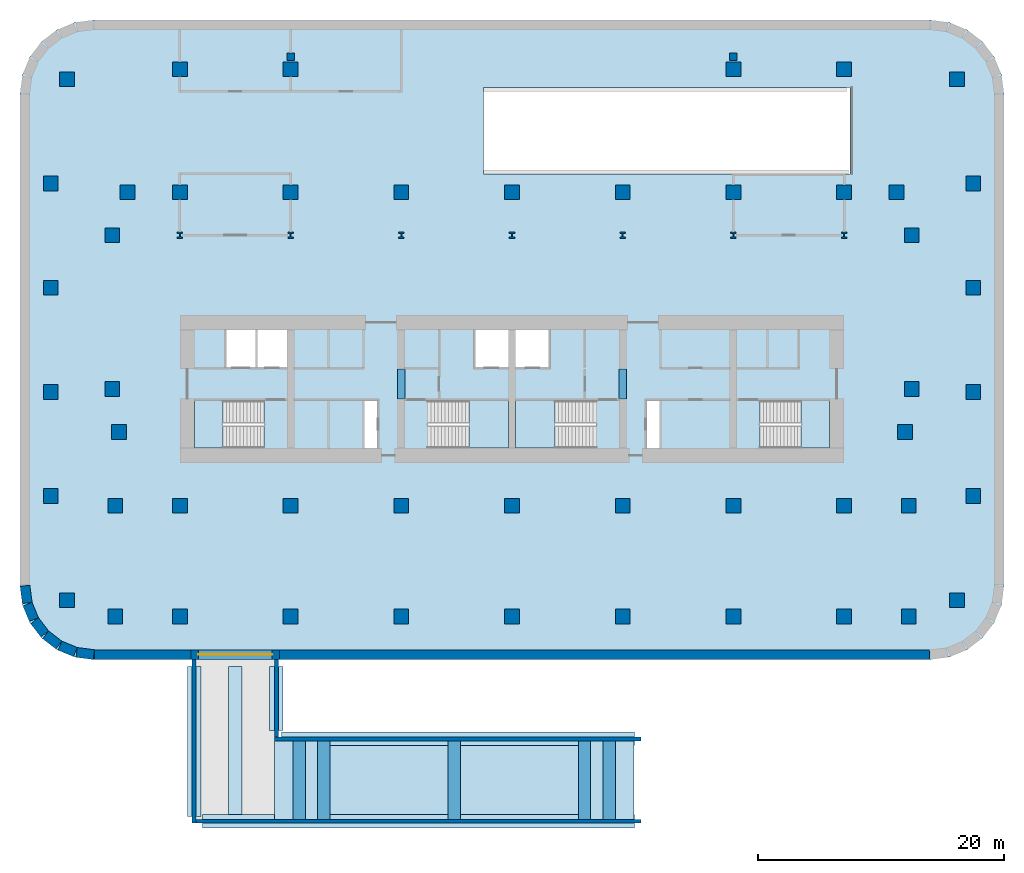
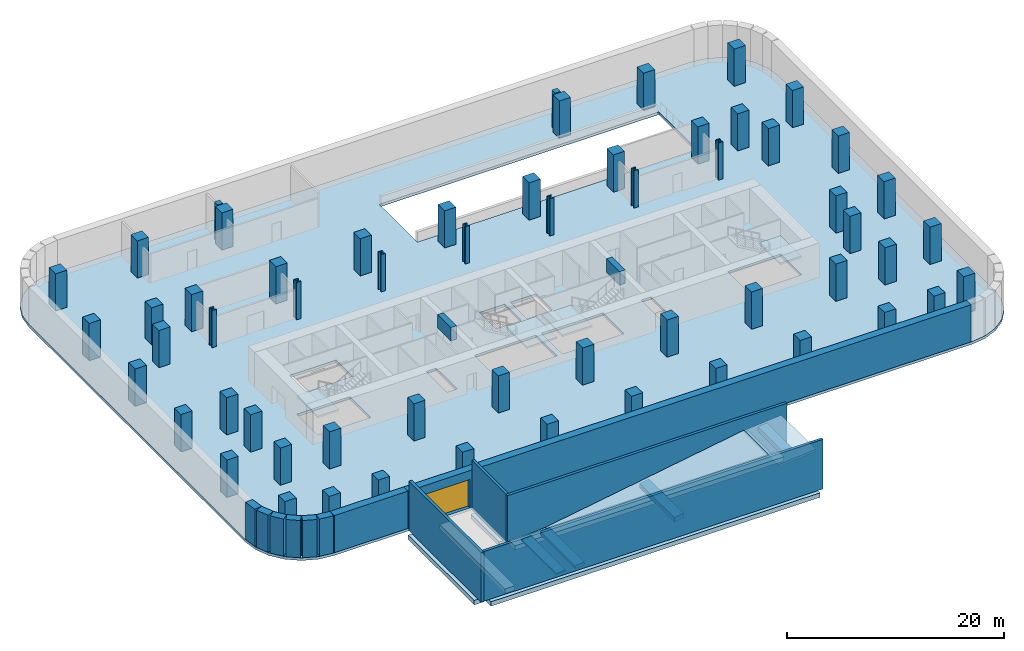
# One storey, part 1 of 6: 58 columns, 13 walls, 8 slabs, 7 beams, 5 footings, 1 door, 1 opening, 5 elements without a shape of their own.
"""IFC4 building model written with IfcOpenShell, lengths in metres."""

from ifc_helpers import new_model, si_unit, direction, frame, frame_2d, origin, origin_2d, place, context, subcontext, project, spatial, polyline, rectangle, i_section, outline, extrude, material, layer, layer_set, material_profile, profile_set, type_object, element, fill, aggregate, save


model = new_model("IFC4")

# Units and contexts
model_context = context("Model", 3, precision=1e-05, world=origin(), true_north=direction((0.0, 1.0)))
body_context = subcontext(model_context, "Body", "Model", "MODEL_VIEW")
ifc_project = project(units=[si_unit("LENGTHUNIT", "METRE"), si_unit("AREAUNIT", "SQUARE_METRE"), si_unit("VOLUMEUNIT", "CUBIC_METRE"), si_unit("PLANEANGLEUNIT", "RADIAN"), si_unit("MASSUNIT", "GRAM", prefix="KILO")], contexts=[model_context])

# Site, building, storey
site_placement = place(None, origin())
site = spatial("IfcSite", under=ifc_project, at=site_placement, CompositionType="ELEMENT")
building_placement = place(site_placement, origin())
building = spatial("IfcBuilding", under=site, at=building_placement, Name="Zellij Exchange Tower", CompositionType="ELEMENT")
storey_placement = place(building_placement, frame((0.0, 0.0, -4.199951171875)))
storey = spatial("IfcBuildingStorey", under=building, at=storey_placement, Name="B1", CompositionType="ELEMENT", Elevation=-4.199951171875)

# Footings
ifc_material_1 = material(Name="Concrete C40/50", Category="concrete")
ifc_layer_1 = layer(ifc_material_1, 0.5)
ifc_layer_set_1 = layer_set([ifc_layer_1], Name="Concrete C40/50")
footing_type = type_object("IfcFootingType", Name="STR-STRIP FOOTING 1100x500 C40/50", PredefinedType="STRIP_FOOTING", material=ifc_layer_set_1)
footing_1_placement = place(storey_placement, frame((-19.14990234375, -33.14990234375, -0.800048828125), z_axis=(0.0, 0.0, 1.0), x_axis=(0.0, 1.0, 0.0)))
element("IfcFooting", 1, at=footing_1_placement, inside=storey, type_object=footing_type, Name="Strip footing SF1", PredefinedType="STRIP_FOOTING", context=body_context, shape_type="SweptSolid", body=[
    extrude(rectangle(XDim=5.199951171875, YDim=1.10009765625, at=origin_2d()), origin(), (0.0, 0.0, 1.0), 0.5),
])
footing_2_placement = place(storey_placement, frame((-4.3974609375, -36.449951171875, -0.800048828125), z_axis=(0.0, 0.0, 1.0), x_axis=(1.0, 0.0, 0.0)))
element("IfcFooting", 2, at=footing_2_placement, inside=storey, type_object=footing_type, Name="Strip footing SF1", PredefinedType="STRIP_FOOTING", context=body_context, shape_type="SweptSolid", body=[
    extrude(rectangle(XDim=28.705078125, YDim=1.10009765625, at=origin_2d()), origin(), (0.0, 0.0, 1.0), 0.5),
])
footing_3_placement = place(storey_placement, frame((-7.597412109375, -43.14990234375, -0.800048828125), z_axis=(0.0, 0.0, 1.0), x_axis=(1.0, 0.0, 0.0)))
element("IfcFooting", 3, at=footing_3_placement, inside=storey, type_object=footing_type, Name="Strip footing SF1", PredefinedType="STRIP_FOOTING", context=body_context, shape_type="SweptSolid", body=[
    extrude(rectangle(XDim=35.10498046875, YDim=1.10009765625, at=origin_2d()), origin(), (0.0, 0.0, 1.0), 0.5),
])
footing_4_placement = place(storey_placement, frame((-25.85009765625, -36.64990234375, -0.800048828125), z_axis=(0.0, 0.0, 1.0), x_axis=(0.0, 1.0, 0.0)))
element("IfcFooting", 4, at=footing_4_placement, inside=storey, type_object=footing_type, Name="Strip footing SF1", PredefinedType="STRIP_FOOTING", context=body_context, shape_type="SweptSolid", body=[
    extrude(rectangle(XDim=12.199951171875, YDim=1.10009765625, at=origin_2d()), origin(), (0.0, 0.0, 1.0), 0.5),
])
footing_5_placement = place(storey_placement, frame((-22.5, -36.574951171875, -0.780029296875), z_axis=(0.0, 0.0, 1.0), x_axis=(0.0, 1.0, 0.0)))
element("IfcFooting", 5, at=footing_5_placement, inside=storey, type_object=footing_type, Name="Strip footing SF1", PredefinedType="STRIP_FOOTING", context=body_context, shape_type="SweptSolid", body=[
    extrude(rectangle(XDim=12.050048828125, YDim=1.10009765625, at=origin_2d()), origin(), (0.0, 0.0, 1.0), 0.5),
])

# Columns
ifc_material_2 = material(Name="Concrete C70/85", Category="concrete")
ifc_material_profile_1 = material_profile(ifc_material_2, rectangle(XDim=1.199951171875, YDim=1.199951171875, at=origin_2d()), Name="STR-COLUMN RC1200x1200 C70/85")
ifc_profile_set_1 = profile_set([ifc_material_profile_1], Name="Concrete C70/85")
column_type_1 = type_object("IfcColumnType", Name="STR-COLUMN RC1200x1200 C70/85", PredefinedType="COLUMN", material=ifc_profile_set_1)
for number, where, z_axis, x_axis, name in (
    (6, (-32.25, -26.5, 0.0), (0.0, 0.0, 1.0), (1.0, 0.0, 0.0), "C12"),
    (7, (-27.0, -26.5, 0.0), (0.0, 0.0, 1.0), (1.0, 0.0, 0.0), "C12"),
    (8, (-18.0, -26.5, 0.0), (0.0, 0.0, 1.0), (1.0, 0.0, 0.0), "C12"),
    (9, (-9.0, -26.5, 0.0), (0.0, 0.0, 1.0), (1.0, 0.0, 0.0), "C12"),
    (10, (0.0, -26.5, 0.0), (0.0, 0.0, 1.0), (1.0, 0.0, 0.0), "C12"),
    (11, (9.0, -26.5, 0.0), (0.0, 0.0, 1.0), (1.0, 0.0, 0.0), "C12"),
    (12, (18.0, -26.5, 0.0), (0.0, 0.0, 1.0), (1.0, 0.0, 0.0), "C12"),
    (13, (27.0, -26.5, 0.0), (0.0, 0.0, 1.0), (1.0, 0.0, 0.0), "C12"),
    (14, (32.25, -26.5, 0.0), (0.0, 0.0, 1.0), (1.0, 0.0, 0.0), "C12"),
    (15, (-36.181884765625, -25.181884765625, 0.0), (0.0, 0.0, 1.0), (1.0, 0.0, 0.0), "C12"),
    (16, (36.181884765625, -25.181884765625, 0.0), (0.0, 0.0, 1.0), (1.0, 0.0, 0.0), "C12"),
    (17, (-32.25, -17.5, 0.0), (0.0, 0.0, 1.0), (1.0, 0.0, 0.0), "C12"),
    (18, (-27.0, -17.5, 0.0), (0.0, 0.0, 1.0), (1.0, 0.0, 0.0), "C12"),
    (19, (-18.0, -17.5, 0.0), (0.0, 0.0, 1.0), (1.0, 0.0, 0.0), "C12"),
    (20, (-9.0, -17.5, 0.0), (0.0, 0.0, 1.0), (1.0, 0.0, 0.0), "C12"),
    (21, (0.0, -17.5, 0.0), (0.0, 0.0, 1.0), (1.0, 0.0, 0.0), "C12"),
    (22, (9.0, -17.5, 0.0), (0.0, 0.0, 1.0), (1.0, 0.0, 0.0), "C12"),
    (23, (18.0, -17.5, 0.0), (0.0, 0.0, 1.0), (1.0, 0.0, 0.0), "C12"),
    (24, (27.0, -17.5, 0.0), (0.0, 0.0, 1.0), (1.0, 0.0, 0.0), "C12"),
    (25, (32.25, -17.5, 0.0), (0.0, 0.0, 1.0), (1.0, 0.0, 0.0), "C12"),
    (26, (-37.5, -16.709228515625, 0.0), (0.0, 0.0, 1.0), (1.0, 0.0, 0.0), "C12"),
    (27, (37.5, -16.709228515625, 0.0), (0.0, 0.0, 1.0), (1.0, 0.0, 0.0), "C12"),
    (28, (-31.949951171875, -11.5, 0.0), (0.0, 0.0, 1.0), (1.0, 0.0, 0.0), "C12"),
    (29, (31.949951171875, -11.5, 0.0), (0.0, 0.0, 1.0), (1.0, 0.0, 0.0), "C12"),
    (30, (-37.5, -8.236328125, 0.0), (0.0, 0.0, 1.0), (1.0, 0.0, 0.0), "C12"),
    (31, (37.5, -8.236328125, 0.0), (0.0, 0.0, 1.0), (1.0, 0.0, 0.0), "C12"),
    (32, (-32.5, -8.0, 0.0), (0.0, 0.0, 1.0), (1.0, 0.0, 0.0), "C12"),
    (33, (32.5, -8.0, 0.0), (0.0, 0.0, 1.0), (1.0, 0.0, 0.0), "C12"),
    (34, (-37.5, 0.236328125, 0.0), (0.0, 0.0, 1.0), (1.0, 0.0, 0.0), "C12"),
    (35, (37.5, 0.236328125, 0.0), (0.0, 0.0, 1.0), (1.0, 0.0, 0.0), "C12"),
    (36, (-32.5, 4.5, 0.0), (0.0, 0.0, 1.0), (1.0, 0.0, 0.0), "C12"),
    (37, (32.5, 4.5, 0.0), (0.0, 0.0, 1.0), (1.0, 0.0, 0.0), "C12"),
    (38, (-31.25, 8.0, 0.0), (0.0, 0.0, 1.0), (1.0, 0.0, 0.0), "C12"),
    (39, (-27.0, 8.0, 0.0), (0.0, 0.0, 1.0), (1.0, 0.0, 0.0), "C12"),
    (40, (-18.0, 8.0, 0.0), (0.0, 0.0, 1.0), (1.0, 0.0, 0.0), "C12"),
    (41, (-9.0, 8.0, 0.0), (0.0, 0.0, 1.0), (1.0, 0.0, 0.0), "C12"),
    (42, (0.0, 8.0, 0.0), (0.0, 0.0, 1.0), (1.0, 0.0, 0.0), "C12"),
    (43, (9.0, 8.0, 0.0), (0.0, 0.0, 1.0), (1.0, 0.0, 0.0), "C12"),
    (44, (18.0, 8.0, 0.0), (0.0, 0.0, 1.0), (1.0, 0.0, 0.0), "C12"),
    (45, (27.0, 8.0, 0.0), (0.0, 0.0, 1.0), (1.0, 0.0, 0.0), "C12"),
    (46, (31.25, 8.0, 0.0), (0.0, 0.0, 1.0), (1.0, 0.0, 0.0), "C12"),
    (47, (-37.5, 8.709228515625, 0.0), (0.0, 0.0, 1.0), (1.0, 0.0, 0.0), "C12"),
    (48, (37.5, 8.709228515625, 0.0), (0.0, 0.0, 1.0), (1.0, 0.0, 0.0), "C12"),
    (49, (-36.181884765625, 17.181884765625, 0.0), (0.0, 0.0, 1.0), (1.0, 0.0, 0.0), "C12"),
    (50, (36.181884765625, 17.181884765625, 0.0), (0.0, 0.0, 1.0), (1.0, 0.0, 0.0), "C12"),
    (51, (-27.0, 18.0, 0.0), (0.0, 0.0, 1.0), (1.0, 0.0, 0.0), "C12"),
    (52, (-18.0, 18.0, 0.0), (0.0, 0.0, 1.0), (1.0, 0.0, 0.0), "C12"),
    (53, (18.0, 18.0, 0.0), (0.0, 0.0, 1.0), (1.0, 0.0, 0.0), "C12"),
    (54, (27.0, 18.0, 0.0), (0.0, 0.0, 1.0), (1.0, 0.0, 0.0), "C12"),
):
    element("IfcColumn", number, at=place(storey_placement, frame(where, z_axis=z_axis, x_axis=x_axis)), inside=storey, type_object=column_type_1, Name=name, PredefinedType="COLUMN", context=body_context, shape_type="SweptSolid", body=[
        extrude(rectangle(XDim=1.199951171875, YDim=1.199951171875, at=origin_2d()), origin(), (0.0, 0.0, 1.0), 4.199951171875),
    ])
ifc_material_profile_2 = material_profile(ifc_material_2, rectangle(XDim=0.60009765625, YDim=0.60009765625, at=origin_2d()), Name="STR-COLUMN RC600x600 C70/85")
ifc_profile_set_2 = profile_set([ifc_material_profile_2], Name="Concrete C70/85")
column_type_2 = type_object("IfcColumnType", Name="STR-COLUMN RC600x600 C70/85", PredefinedType="COLUMN", material=ifc_profile_set_2)
for number, where, z_axis, x_axis, name in (
    (55, (-18.0, 19.0, 0.0), (0.0, 0.0, 1.0), (1.0, 0.0, 0.0), "C17"),
    (56, (18.0, 19.0, 0.0), (0.0, 0.0, 1.0), (1.0, 0.0, 0.0), "C17"),
):
    element("IfcColumn", number, at=place(storey_placement, frame(where, z_axis=z_axis, x_axis=x_axis)), inside=storey, type_object=column_type_2, Name=name, PredefinedType="COLUMN", context=body_context, shape_type="SweptSolid", body=[
        extrude(rectangle(XDim=0.60009765625, YDim=0.60009765625, at=origin_2d()), origin(), (0.0, 0.0, 1.0), 4.199951171875),
    ])
ifc_material_3 = material(Name="Structural steel ASTM A913 Gr 65", Category="steel")
ifc_material_profile_3 = material_profile(ifc_material_3, i_section(OverallWidth=0.45458984375, OverallDepth=0.56884765625, WebThickness=0.077880859375, FlangeThickness=0.124755859375, at=origin_2d()), Name="W14x730")
ifc_profile_set_3 = profile_set([ifc_material_profile_3], Name="Structural steel ASTM A913 Gr 65")
column_type_3 = type_object("IfcColumnType", Name="STR-COLUMN W14x730", PredefinedType="COLUMN", material=ifc_profile_set_3)
for number, where, z_axis, x_axis, name in (
    (57, (-27.0, 4.5, 0.0), (0.0, 0.0, 1.0), (1.0, 0.0, 0.0), "C7"),
    (58, (-18.0, 4.5, 0.0), (0.0, 0.0, 1.0), (1.0, 0.0, 0.0), "C7"),
    (59, (-9.0, 4.5, 0.0), (0.0, 0.0, 1.0), (1.0, 0.0, 0.0), "C7"),
    (60, (0.0, 4.5, 0.0), (0.0, 0.0, 1.0), (1.0, 0.0, 0.0), "C7"),
    (61, (9.0, 4.5, 0.0), (0.0, 0.0, 1.0), (1.0, 0.0, 0.0), "C7"),
    (62, (18.0, 4.5, 0.0), (0.0, 0.0, 1.0), (1.0, 0.0, 0.0), "C7"),
    (63, (27.0, 4.5, 0.0), (0.0, 0.0, 1.0), (1.0, 0.0, 0.0), "C7"),
):
    element("IfcColumn", number, at=place(storey_placement, frame(where, z_axis=z_axis, x_axis=x_axis)), inside=storey, type_object=column_type_3, Name=name, PredefinedType="COLUMN", context=body_context, shape_type="SweptSolid", body=[
        extrude(i_section(OverallWidth=0.45458984375, OverallDepth=0.56884765625, WebThickness=0.077880859375, FlangeThickness=0.124755859375, at=origin_2d()), origin(), (0.0, 0.0, 1.0), 4.199951171875),
    ])

# Beams
beam_type_1 = type_object("IfcBeamType", Name="BSM-Ramp bearing beam 1000x500 C40/50", PredefinedType="BEAM", material=ifc_material_1)
beam_1_placement = place(storey_placement, frame((8.39990234375, -43.0, 3.823974609375), z_axis=(-0.082964939243, 0.0, 0.996552466685), x_axis=(-0.996552466685, 0.0, -0.082964939243)))
element("IfcBeam", 64, at=beam_1_placement, inside=storey, type_object=beam_type_1, Name="Car park ramp R1 bearing beam", PredefinedType="BEAM", context=body_context, shape_type="SweptSolid", body=[
    extrude(outline(polyline([(0.0, 0.0), (1.0034594599181013, 0.0), (1.0034594599181013, -6.399902343750002), (0.0, -6.399902343750002), (0.0, 0.0)])), origin(), (0.082964939243, 0.0, -0.996552466685), 0.5),
])
beam_2_placement = place(storey_placement, frame((6.39990234375, -43.0, 3.657470703125), z_axis=(-0.126657236826, 0.0, 0.991946543096), x_axis=(-0.991946543096, 0.0, -0.126657236826)))
element("IfcBeam", 65, at=beam_2_placement, inside=storey, type_object=beam_type_1, Name="Car park ramp R1 bearing beam", PredefinedType="BEAM", context=body_context, shape_type="SweptSolid", body=[
    extrude(outline(polyline([(0.0, 0.0), (1.008118841645551, 0.0), (1.008118841645551, -6.39990234375), (0.0, -6.39990234375), (0.0, 0.0)])), origin(), (0.126657236826, 0.0, -0.991946543096), 0.5),
])
beam_3_placement = place(storey_placement, frame((-4.199951171875, -43.0, 1.929931640625), z_axis=(-0.164477089163, 0.0, 0.986380903678), x_axis=(-0.986380903678, 0.0, -0.164477089163)))
element("IfcBeam", 66, at=beam_3_placement, inside=storey, type_object=beam_type_1, Name="Car park ramp R1 bearing beam", PredefinedType="BEAM", context=body_context, shape_type="SweptSolid", body=[
    extrude(outline(polyline([(0.0, 0.0), (1.0138071370515338, 0.0), (1.0138071370515338, -6.399902343750002), (0.0, -6.399902343750002), (0.0, 0.0)])), origin(), (0.164477089163, 0.0, -0.986380903678), 0.5),
])
beam_4_placement = place(storey_placement, frame((-14.800048828125, -43.0, 0.1630859375), z_axis=(-0.121409630638, 0.0, 0.992602489211), x_axis=(-0.992602489211, 0.0, -0.121409630638)))
element("IfcBeam", 67, at=beam_4_placement, inside=storey, type_object=beam_type_1, Name="Car park ramp R1 bearing beam", PredefinedType="BEAM", context=body_context, shape_type="SweptSolid", body=[
    extrude(outline(polyline([(0.0, 0.0), (1.0074526417868326, 0.0), (1.0074526417868326, -6.39990234375), (0.0, -6.39990234375), (0.0, 0.0)])), origin(), (0.121409630638, 0.0, -0.992602489211), 0.337890625),
])
beam_5_placement = place(storey_placement, frame((-16.800048828125, -43.0, -0.04248046875), z_axis=(-0.083206556192, 0.0, 0.996532322108), x_axis=(-0.996532322108, 0.0, -0.083206556192)))
element("IfcBeam", 68, at=beam_5_placement, inside=storey, type_object=beam_type_1, Name="Car park ramp R1 bearing beam", PredefinedType="BEAM", context=body_context, shape_type="SweptSolid", body=[
    extrude(outline(polyline([(0.0, 0.0), (1.0034797445247756, 0.0), (1.0034797445247756, -6.39990234375), (0.0, -6.39990234375), (0.0, 0.0)])), origin(), (0.083206556192, 0.0, -0.996532322108), 0.171142578125),
])
ifc_material_profile_4 = material_profile(ifc_material_2, rectangle(XDim=0.60009765625, YDim=1.5, at=origin_2d()), Name="CORE-CB 600x1500 C70/85")
ifc_profile_set_4 = profile_set([ifc_material_profile_4], Name="Concrete C70/85")
beam_type_2 = type_object("IfcBeamType", Name="CORE-CB 600x1500 C70/85", PredefinedType="BEAM", material=ifc_profile_set_4)
for number, where, z_axis, x_axis, name in (
    (69, (-9.0, -8.800048828125, 3.14990234375), (0.0, 1.0, 0.0), (-1.0, 0.0, 0.0), "Core coupling beam x -9 B1"),
    (70, (9.0, -8.800048828125, 3.14990234375), (0.0, 1.0, 0.0), (-1.0, 0.0, 0.0), "Core coupling beam x 9 B1"),
):
    element("IfcBeam", number, at=place(storey_placement, frame(where, z_axis=z_axis, x_axis=x_axis)), inside=storey, type_object=beam_type_2, Name=name, PredefinedType="BEAM", context=body_context, shape_type="SweptSolid", body=[
        extrude(rectangle(XDim=0.60009765625, YDim=1.5, at=origin_2d()), origin(), (0.0, 0.0, 1.0), 2.425048828125),
    ])

# Ramp, slabs
ramp_type = type_object("IfcRampType", Name="BSM-Car ramp 6400", PredefinedType="STRAIGHT_RUN_RAMP", material=ifc_material_1)
ramp_placement = place(storey_placement, origin())
ramp = element("IfcRamp", 71, at=ramp_placement, inside=storey, type_object=ramp_type, Name="Car park entry ramp R1", PredefinedType="STRAIGHT_RUN_RAMP")
ifc_layer_2 = layer(ifc_material_1, 0.25)
ifc_layer_set_2 = layer_set([ifc_layer_2], Name="Concrete C40/50")
slab_type_1 = type_object("IfcSlabType", Name="BSM-Ramp slab 250 C40/50", PredefinedType="LANDING", material=ifc_layer_set_2)
slab_1_placement = place(storey_placement, frame((9.89990234375, -43.0, 4.199951171875), z_axis=(-0.083025344854, 0.0, 0.996547435957), x_axis=(-0.996547435957, 0.0, -0.083025344854)))
slab_1 = element("IfcSlab", 72, at=slab_1_placement, type_object=slab_type_1, Name="Car park entry ramp R1 upper transition", PredefinedType="LANDING", context=body_context, shape_type="SweptSolid", body=[
    extrude(outline(polyline([(0.0, 0.0), (4.013858102158275, 0.0), (4.013858102158275, -6.39990234375), (0.0, -6.39990234375), (0.0, 0.0)])), origin(), (0.083025344854, 0.0, -0.996547435957), 0.2509765625),
])
slab_2_placement = place(storey_placement, frame((5.89990234375, -43.0, 3.86669921875), z_axis=(-0.164404513495, 0.0, 0.986393002785), x_axis=(-0.986393002785, 0.0, -0.164404513495)))
slab_2 = element("IfcSlab", 73, at=slab_2_placement, type_object=slab_type_1, Name="Car park entry ramp R1 main run", PredefinedType="LANDING", context=body_context, shape_type="SweptSolid", body=[
    extrude(outline(polyline([(0.0, 0.0), (21.49239817397856, 0.0), (21.49239817397856, -6.39990234375), (0.0, -6.39990234375), (0.0, 0.0)])), origin(), (0.164404513495, 0.0, -0.986393002785), 0.25341796875),
])
slab_3_placement = place(storey_placement, frame((-15.300048828125, -43.0, 0.333251953125), z_axis=(-0.083025344854, 0.0, 0.996547435957), x_axis=(-0.996547435957, 0.0, -0.083025344854)))
slab_3 = element("IfcSlab", 74, at=slab_3_placement, type_object=slab_type_1, Name="Car park entry ramp R1 lower transition", PredefinedType="LANDING", context=body_context, shape_type="SweptSolid", body=[
    extrude(outline(polyline([(0.0, 0.0), (4.013858102158275, 0.0), (4.013858102158275, -6.39990234375), (0.0, -6.39990234375), (0.0, 0.0)])), origin(), (0.083025344854, 0.0, -0.996547435957), 0.2509765625),
])
aggregate(ramp, [slab_1, slab_2, slab_3])

# Stair, slab
stair_type = type_object("IfcStairType", Name="CORE-ST exit stair 1850 wide", PredefinedType="HALF_TURN_STAIR", material=ifc_material_1)
stair_1_placement = place(storey_placement, origin())
stair_1 = element("IfcStair", 75, at=stair_1_placement, inside=storey, type_object=stair_type, Name="B1 exit stair ST1", PredefinedType="HALF_TURN_STAIR")
ifc_layer_3 = layer(ifc_material_1, 0.199951171875)
ifc_layer_set_3 = layer_set([ifc_layer_3], Name="Concrete C40/50")
slab_type_2 = type_object("IfcSlabType", Name="CORE-SL stair landing 200", PredefinedType="LANDING", material=ifc_layer_set_3)
slab_4_placement = place(storey_placement, frame((0.0, 0.0, 1.89990234375)))
slab_4 = element("IfcSlab", 76, at=slab_4_placement, type_object=slab_type_2, Name="ST1 landing 1", PredefinedType="LANDING", context=body_context, shape_type="SweptSolid", body=[
    extrude(outline(polyline([(-23.510009765625, -8.949951171875), (-25.800048828125, -8.949951171875), (-25.800048828125, -12.800048828125), (-23.510009765625, -12.800048828125), (-23.510009765625, -8.949951171875)])), origin(), (0.0, 0.0, 1.0), 0.199951171875),
])
aggregate(stair_1, [slab_4])

stair_2_placement = place(storey_placement, origin())
stair_2 = element("IfcStair", 77, at=stair_2_placement, inside=storey, type_object=stair_type, Name="B1 exit stair ST2", PredefinedType="HALF_TURN_STAIR")
slab_5_placement = place(storey_placement, frame((0.0, 0.0, 1.89990234375)))
slab_5 = element("IfcSlab", 78, at=slab_5_placement, type_object=slab_type_2, Name="ST2 landing 1", PredefinedType="LANDING", context=body_context, shape_type="SweptSolid", body=[
    extrude(outline(polyline([(-3.489990234375, -12.800048828125), (-0.300048828125, -12.800048828125), (-0.300048828125, -8.949951171875), (-3.489990234375, -8.949951171875), (-3.489990234375, -12.800048828125)])), origin(), (0.0, 0.0, 1.0), 0.199951171875),
])
aggregate(stair_2, [slab_5])

stair_3_placement = place(storey_placement, origin())
stair_3 = element("IfcStair", 79, at=stair_3_placement, inside=storey, type_object=stair_type, Name="B1 exit stair ST3", PredefinedType="HALF_TURN_STAIR")
slab_6_placement = place(storey_placement, frame((0.0, 0.0, 1.89990234375)))
slab_6 = element("IfcSlab", 80, at=slab_6_placement, type_object=slab_type_2, Name="ST3 landing 1", PredefinedType="LANDING", context=body_context, shape_type="SweptSolid", body=[
    extrude(outline(polyline([(3.489990234375, -8.949951171875), (0.300048828125, -8.949951171875), (0.300048828125, -12.800048828125), (3.489990234375, -12.800048828125), (3.489990234375, -8.949951171875)])), origin(), (0.0, 0.0, 1.0), 0.199951171875),
])
aggregate(stair_3, [slab_6])

stair_4_placement = place(storey_placement, origin())
stair_4 = element("IfcStair", 81, at=stair_4_placement, inside=storey, type_object=stair_type, Name="B1 exit stair ST4", PredefinedType="HALF_TURN_STAIR")
slab_7_placement = place(storey_placement, frame((0.0, 0.0, 1.89990234375)))
slab_7 = element("IfcSlab", 82, at=slab_7_placement, type_object=slab_type_2, Name="ST4 landing 1", PredefinedType="LANDING", context=body_context, shape_type="SweptSolid", body=[
    extrude(outline(polyline([(23.510009765625, -12.800048828125), (25.800048828125, -12.800048828125), (25.800048828125, -8.949951171875), (23.510009765625, -8.949951171875), (23.510009765625, -12.800048828125)])), origin(), (0.0, 0.0, 1.0), 0.199951171875),
])
aggregate(stair_4, [slab_7])

# Slab
ifc_layer_4 = layer(ifc_material_1, 0.300048828125)
ifc_layer_set_4 = layer_set([ifc_layer_4], Name="Concrete C40/50")
slab_type_3 = type_object("IfcSlabType", Name="STR-FLOOR SLAB 300 C40/50", PredefinedType="FLOOR", material=ifc_layer_set_4)
slab_8_placement = place(storey_placement, frame((0.0, 0.0, -0.300048828125)))
element("IfcSlab", 83, at=slab_8_placement, inside=storey, type_object=slab_type_3, Name="Floor B1", PredefinedType="FLOOR", context=body_context, shape_type="SweptSolid", body=[
    extrude(outline(polyline([(-34.0, -30.0), (-35.552978515625, -29.795654296875), (-37.0, -29.1962890625), (-38.24267578125, -28.24267578125), (-39.1962890625, -27.0), (-39.795654296875, -25.552978515625), (-40.0, -24.0), (-40.0, 16.0), (-39.795654296875, 17.552978515625), (-39.1962890625, 19.0), (-38.24267578125, 20.24267578125), (-37.0, 21.1962890625), (-35.552978515625, 21.795654296875), (-34.0, 22.0), (34.0, 22.0), (35.552978515625, 21.795654296875), (37.0, 21.1962890625), (38.24267578125, 20.24267578125), (39.1962890625, 19.0), (39.795654296875, 17.552978515625), (40.0, 16.0), (40.0, -24.0), (39.795654296875, -25.552978515625), (39.1962890625, -27.0), (38.24267578125, -28.24267578125), (37.0, -29.1962890625), (35.552978515625, -29.795654296875), (34.0, -30.0), (-34.0, -30.0)]), holes=[polyline([(-25.800048828125, -8.949951171875), (-25.800048828125, -12.800048828125), (-20.153076171875, -12.800048828125), (-20.153076171875, -8.949951171875), (-25.800048828125, -8.949951171875)]), polyline([(-12.0, -8.949951171875), (-12.0, -12.800048828125), (-10.949951171875, -12.800048828125), (-10.949951171875, -8.949951171875), (-12.0, -8.949951171875)]), polyline([(-6.846923828125, -8.949951171875), (-6.846923828125, -12.800048828125), (-0.300048828125, -12.800048828125), (-0.300048828125, -8.949951171875), (-6.846923828125, -8.949951171875)]), polyline([(6.846923828125, -8.949951171875), (0.300048828125, -8.949951171875), (0.300048828125, -12.800048828125), (6.846923828125, -12.800048828125), (6.846923828125, -8.949951171875)]), polyline([(12.0, -8.949951171875), (10.949951171875, -8.949951171875), (10.949951171875, -12.800048828125), (12.0, -12.800048828125), (12.0, -8.949951171875)]), polyline([(20.153076171875, -8.949951171875), (20.153076171875, -12.800048828125), (25.800048828125, -12.800048828125), (25.800048828125, -8.949951171875), (20.153076171875, -8.949951171875)]), polyline([(-23.25, -3.199951171875), (-23.25, -6.22509765625), (-18.300048828125, -6.22509765625), (-18.300048828125, -3.199951171875), (-23.25, -3.199951171875)]), polyline([(-3.0, -3.199951171875), (-3.0, -6.22509765625), (-0.300048828125, -6.22509765625), (-0.300048828125, -3.199951171875), (-3.0, -3.199951171875)]), polyline([(3.0, -3.199951171875), (0.300048828125, -3.199951171875), (0.300048828125, -6.22509765625), (3.0, -6.22509765625), (3.0, -3.199951171875)]), polyline([(27.5, 16.5), (-2.304931640625, 16.5), (-2.304931640625, 9.5), (27.5, 9.5), (27.5, 16.5)])]), origin(), (0.0, 0.0, 1.0), 0.300048828125),
])

# Wall, opening, door
ifc_layer_5 = layer(ifc_material_1, 0.800048828125)
ifc_layer_set_5 = layer_set([ifc_layer_5], Name="Concrete C40/50")
wall_type_1 = type_object("IfcWallType", Name="BSM-Portal wall 800", PredefinedType="SOLIDWALL", material=ifc_layer_set_5)
wall_1_placement = place(storey_placement, frame((-26.10009765625, -29.60009765625, 0.0), z_axis=(0.0, 0.0, 1.0), x_axis=(1.0, 0.0, 0.0)))
wall_1 = element("IfcWall", 84, at=wall_1_placement, inside=storey, type_object=wall_type_1, Name="Vehicle portal wall", PredefinedType="SOLIDWALL", context=body_context, shape_type="SweptSolid", body=[
    extrude(rectangle(XDim=7.2001953125, YDim=0.800048828125, at=frame_2d((3.60009765625, 0.0))), origin(), (0.0, 0.0, 1.0), 4.199951171875),
])
opening_placement = place(wall_1_placement, frame((0.60009765625, 0.0, 0.0)))
opening = element("IfcOpeningElement", 85, at=opening_placement, cuts=wall_1, Name="Opening BS1.05", PredefinedType="OPENING", context=body_context, shape_type="SweptSolid", body=[
    extrude(rectangle(XDim=6.0, YDim=3.199951171875, at=frame_2d((3.0, 1.60009765625))), frame((0.0, 0.412109375, 0.0), z_axis=(0.0, -1.0, 0.0), x_axis=(1.0, 0.0, 0.0)), (0.0, 0.0, 1.0), 0.823974609375),
])
ifc_material_4 = material(Name="Galvanised sheet steel", Category="steel")
door_type = type_object("IfcDoorType", Name="BSM-Vehicle door roller shutter 6000x3200", OperationType="ROLLINGUP", PredefinedType="GATE", material=ifc_material_4)
door_placement = place(opening_placement, origin())
door = element("IfcDoor", 86, at=door_placement, inside=storey, type_object=door_type, Name="Vehicle door (roller shutter)", OperationType="SINGLE_SWING_LEFT", OverallHeight=3.199951171875, OverallWidth=6.0, PredefinedType="GATE", context=body_context, shape_type="SweptSolid", body=[
    extrude(rectangle(XDim=6.0, YDim=3.199951171875, at=frame_2d((3.0, 1.60009765625))), frame((0.0, 0.02490234375, 0.0), z_axis=(0.0, -1.0, 0.0), x_axis=(1.0, 0.0, 0.0)), (0.0, 0.0, 1.0), 0.050048828125),
])
fill(opening, door)

# Walls
ifc_layer_6 = layer(ifc_material_1, 0.300048828125)
ifc_layer_set_6 = layer_set([ifc_layer_6], Name="Concrete C40/50")
wall_type_2 = type_object("IfcWallType", Name="BSM-Trench wall 300", PredefinedType="SOLIDWALL", material=ifc_layer_set_6)
wall_2_placement = place(storey_placement, frame((-25.699951171875, -43.14990234375, -0.300048828125), z_axis=(0.0, 0.0, 1.0), x_axis=(1.0, 0.0, 0.0)))
element("IfcWall", 87, at=wall_2_placement, inside=storey, type_object=wall_type_2, Name="Entry trench wall", PredefinedType="SOLIDWALL", context=body_context, shape_type="SweptSolid", body=[
    extrude(rectangle(XDim=36.204833984375, YDim=0.300048828125, at=frame_2d((18.1025390625, 0.0))), origin(), (0.0, 0.0, 1.0), 5.60009765625),
])
wall_3_placement = place(storey_placement, frame((-19.300048828125, -36.449951171875, -0.300048828125), z_axis=(0.0, 0.0, 1.0), x_axis=(1.0, 0.0, 0.0)))
element("IfcWall", 88, at=wall_3_placement, inside=storey, type_object=wall_type_2, Name="Entry trench wall", PredefinedType="SOLIDWALL", context=body_context, shape_type="SweptSolid", body=[
    extrude(rectangle(XDim=29.804931640625, YDim=0.300048828125, at=frame_2d((14.90234375, 0.0))), origin(), (0.0, 0.0, 1.0), 5.60009765625),
])
wall_4_placement = place(storey_placement, frame((-25.85009765625, -43.300048828125, -0.300048828125), z_axis=(0.0, 0.0, 1.0), x_axis=(0.0, 1.0, 0.0)))
element("IfcWall", 89, at=wall_4_placement, inside=storey, type_object=wall_type_2, Name="Entry corridor wall", PredefinedType="SOLIDWALL", context=body_context, shape_type="SweptSolid", body=[
    extrude(rectangle(XDim=13.300048828125, YDim=0.300048828125, at=frame_2d((6.64990234375, 0.0))), origin(), (0.0, 0.0, 1.0), 5.60009765625),
])
wall_5_placement = place(storey_placement, frame((-19.14990234375, -36.300048828125, -0.300048828125), z_axis=(0.0, 0.0, 1.0), x_axis=(0.0, 1.0, 0.0)))
element("IfcWall", 90, at=wall_5_placement, inside=storey, type_object=wall_type_2, Name="Entry corridor wall", PredefinedType="SOLIDWALL", context=body_context, shape_type="SweptSolid", body=[
    extrude(rectangle(XDim=6.300048828125, YDim=0.300048828125, at=frame_2d((3.14990234375, 0.0))), origin(), (0.0, 0.0, 1.0), 5.60009765625),
])
ifc_layer_7 = layer(ifc_material_1, 0.800048828125)
ifc_layer_set_7 = layer_set([ifc_layer_7], Name="Concrete C40/50")
wall_type_3 = type_object("IfcWallType", Name="STR-RETAINING WALL 800 C40/50", PredefinedType="SOLIDWALL", material=ifc_layer_set_7)
wall_6_placement = place(storey_placement, frame((-33.947509765625, -29.60009765625, 0.0), z_axis=(0.0, 0.0, 1.0), x_axis=(1.0, 0.0, 0.0)))
element("IfcWall", 91, at=wall_6_placement, inside=storey, type_object=wall_type_3, Name="Retaining wall B1", PredefinedType="SOLIDWALL", context=body_context, shape_type="SweptSolid", body=[
    extrude(rectangle(XDim=7.847412109375, YDim=0.800048828125, at=frame_2d((3.923828125, 0.0))), origin(), (0.0, 0.0, 1.0), 4.199951171875),
])
wall_7_placement = place(storey_placement, frame((-18.89990234375, -29.60009765625, 0.0), z_axis=(0.0, 0.0, 1.0), x_axis=(1.0, 0.0, 0.0)))
element("IfcWall", 92, at=wall_7_placement, inside=storey, type_object=wall_type_3, Name="Retaining wall B1", PredefinedType="SOLIDWALL", context=body_context, shape_type="SweptSolid", body=[
    extrude(rectangle(XDim=52.847412109375, YDim=0.800048828125, at=frame_2d((26.423828125, 0.0))), origin(), (0.0, 0.0, 1.0), 4.199951171875),
])
wall_8_placement = place(storey_placement, frame((-33.999755859375, -29.5966796875, 0.0), z_axis=(0.0, 0.0, 1.0), x_axis=(-0.99144603414, 0.130517283865, 0.0)))
element("IfcWall", 93, at=wall_8_placement, inside=storey, type_object=wall_type_3, Name="Retaining wall B1", PredefinedType="SOLIDWALL", context=body_context, shape_type="SweptSolid", body=[
    extrude(rectangle(XDim=1.408447265625, YDim=0.800048828125, at=frame_2d((0.7041015625, 0.0))), origin(), (0.0, 0.0, 1.0), 4.199951171875),
])
for number, where, z_axis, x_axis, name in (
    (94, (-35.497314453125, -29.3857421875, 0.0), (0.0, 0.0, 1.0), (-0.923847774587, 0.38276009378, 0.0), "Retaining wall B1"),
    (95, (-36.840087890625, -28.814697265625, 0.0), (0.0, 0.0, 1.0), (-0.793359897258, 0.608752883708, 0.0), "Retaining wall B1"),
    (96, (-37.989501953125, -27.91552734375, 0.0), (0.0, 0.0, 1.0), (-0.608752883708, 0.793359897258, 0.0), "Retaining wall B1"),
    (97, (-38.866943359375, -26.74951171875, 0.0), (0.0, 0.0, 1.0), (-0.38276009378, 0.923847774587, 0.0), "Retaining wall B1"),
):
    element("IfcWall", number, at=place(storey_placement, frame(where, z_axis=z_axis, x_axis=x_axis)), inside=storey, type_object=wall_type_3, Name=name, PredefinedType="SOLIDWALL", context=body_context, shape_type="SweptSolid", body=[
        extrude(rectangle(XDim=1.35546875, YDim=0.800048828125, at=frame_2d((0.677734375, 0.0))), origin(), (0.0, 0.0, 1.0), 4.199951171875),
    ])
wall_9_placement = place(storey_placement, frame((-39.412841796875, -25.396240234375, 0.0), z_axis=(0.0, 0.0, 1.0), x_axis=(-0.130517283865, 0.99144603414, 0.0)))
element("IfcWall", 98, at=wall_9_placement, inside=storey, type_object=wall_type_3, Name="Retaining wall B1", PredefinedType="SOLIDWALL", context=body_context, shape_type="SweptSolid", body=[
    extrude(rectangle(XDim=1.408447265625, YDim=0.800048828125, at=frame_2d((0.7041015625, 0.0))), origin(), (0.0, 0.0, 1.0), 4.199951171875),
])

save(model, "model.ifc")
